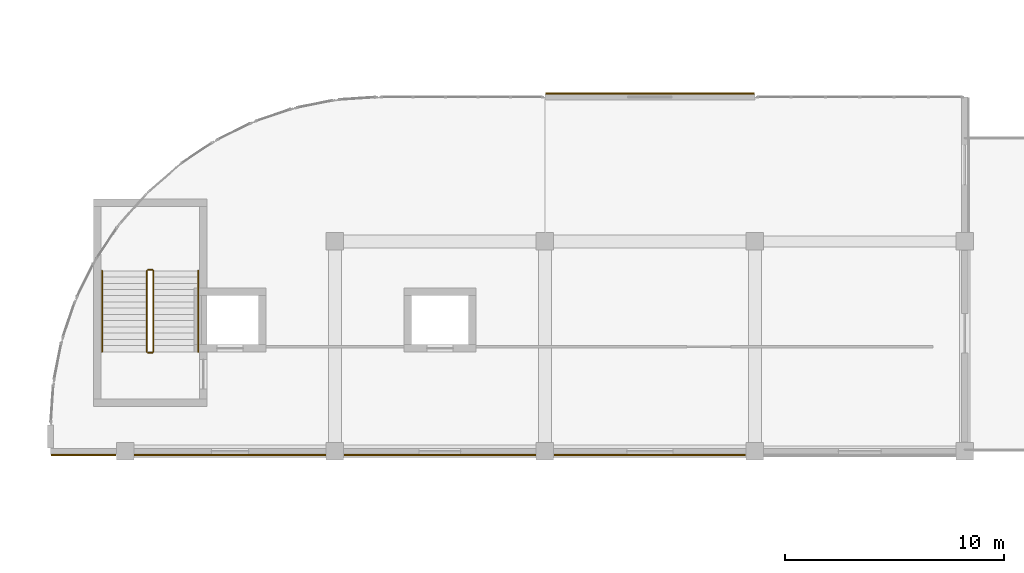
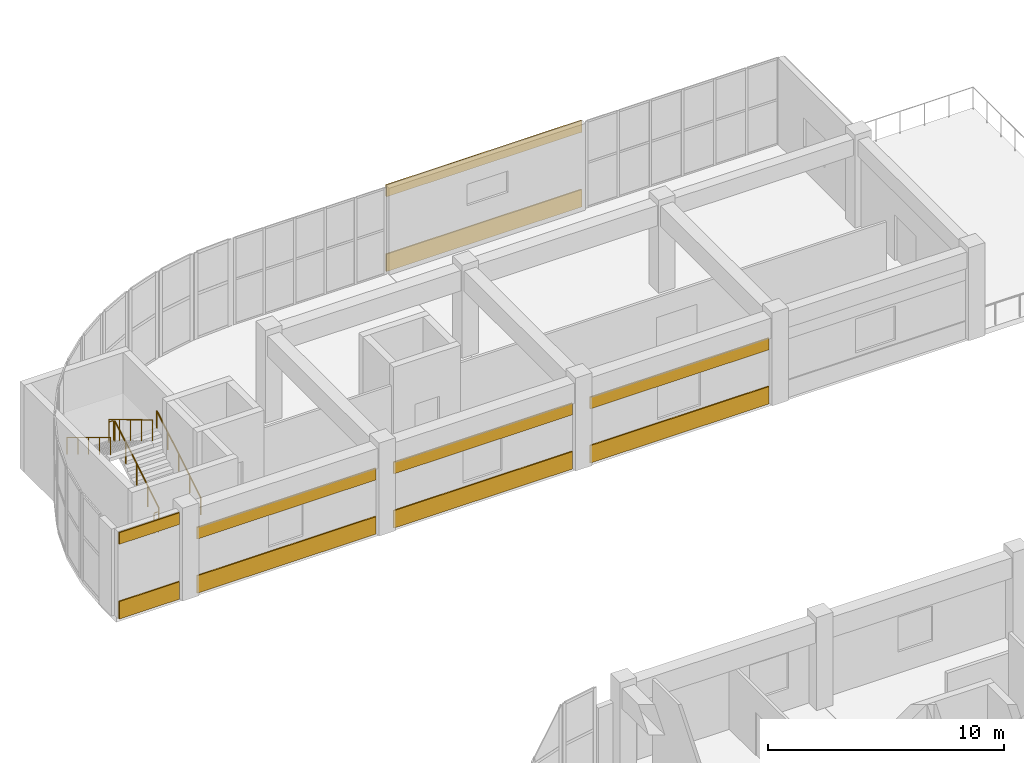
# One storey, part 31 of 33: 10 coverings, 6 railings.
"""IFC4 building model written with IfcOpenShell, lengths in metres."""

from ifc_helpers import new_model, si_unit, direction, frame, origin, origin_2d, place, context, subcontext, project, spatial, rectangle, circle, extrude, material, layer, layer_set, type_object, element, save


model = new_model("IFC4")

# Units and contexts
model_context = context("Model", 3, precision=1e-05, world=origin(), true_north=direction((0.0, 1.0)))
body_context = subcontext(model_context, "Body", "Model", "MODEL_VIEW")
ifc_project = project(units=[si_unit("LENGTHUNIT", "METRE"), si_unit("AREAUNIT", "SQUARE_METRE"), si_unit("VOLUMEUNIT", "CUBIC_METRE"), si_unit("PLANEANGLEUNIT", "RADIAN"), si_unit("MASSUNIT", "GRAM", prefix="KILO")], contexts=[model_context])

# Site, building, storey
site_placement = place(None, origin())
site = spatial("IfcSite", under=ifc_project, at=site_placement, CompositionType="ELEMENT")
building_placement = place(site_placement, origin())
building = spatial("IfcBuilding", under=site, at=building_placement, Name="Cendralis Terraced Arcade", CompositionType="ELEMENT")
storey_placement = place(building_placement, frame((0.0, 0.0, 19.800048828125)))
storey = spatial("IfcBuildingStorey", under=building, at=storey_placement, Name="L04", CompositionType="ELEMENT", Elevation=19.800048828125)

# Coverings
ifc_material_1 = material(Name="Precast concrete f'c 40 MPa", Category="concrete")
ifc_layer = layer(ifc_material_1, 0.06494140625, Name="COV-CLAD-GRC-65")
ifc_layer_set = layer_set([ifc_layer], Name="Precast concrete f'c 40 MPa")
covering_type = type_object("IfcCoveringType", Name="COV-CLAD-GRC-65", PredefinedType="CLADDING", material=ifc_layer_set)
covering_1_placement = place(storey_placement, frame((33.60009765625, 85.969970703125, 0.0), z_axis=(0.0, 0.0, 1.0), x_axis=(1.0, 0.0, 0.0)))
element("IfcCovering", 1, at=covering_1_placement, inside=storey, type_object=covering_type, Name="Banded Precast Stone Spandrel Cladding L04-477", PredefinedType="CLADDING", context=body_context, shape_type="SweptSolid", body=[
    extrude(rectangle(XDim=9.5400390625, YDim=0.06494140625, at=origin_2d()), origin(), (0.0, 0.0, 1.0), 0.89990234375),
])
covering_2_placement = place(storey_placement, frame((33.60009765625, 85.969970703125, 3.85986328125), z_axis=(0.0, 0.0, 1.0), x_axis=(1.0, 0.0, 0.0)))
element("IfcCovering", 2, at=covering_2_placement, inside=storey, type_object=covering_type, Name="Banded Precast Stone Lintel Cladding L04-478", PredefinedType="CLADDING", context=body_context, shape_type="SweptSolid", body=[
    extrude(rectangle(XDim=9.5400390625, YDim=0.06494140625, at=origin_2d()), origin(), (0.0, 0.0, 1.0), 0.60009765625),
])
covering_3_placement = place(storey_placement, frame((33.60009765625, 69.429931640625, 0.0), z_axis=(0.0, 0.0, 1.0), x_axis=(-1.0, 0.0, 0.0)))
element("IfcCovering", 3, at=covering_3_placement, inside=storey, type_object=covering_type, Name="Banded Precast Stone Spandrel Cladding L04-483", PredefinedType="CLADDING", context=body_context, shape_type="SweptSolid", body=[
    extrude(rectangle(XDim=8.743896484375, YDim=0.06494140625, at=origin_2d()), origin(), (0.0, 0.0, 1.0), 0.89990234375),
])
covering_4_placement = place(storey_placement, frame((33.60009765625, 69.429931640625, 2.7998046875), z_axis=(0.0, 0.0, 1.0), x_axis=(-1.0, 0.0, 0.0)))
element("IfcCovering", 4, at=covering_4_placement, inside=storey, type_object=covering_type, Name="Banded Precast Stone Lintel Cladding L04-484", PredefinedType="CLADDING", context=body_context, shape_type="SweptSolid", body=[
    extrude(rectangle(XDim=8.743896484375, YDim=0.06494140625, at=origin_2d()), origin(), (0.0, 0.0, 1.0), 0.60009765625),
])
covering_5_placement = place(storey_placement, frame((24.0, 69.429931640625, 0.0), z_axis=(0.0, 0.0, 1.0), x_axis=(-1.0, 0.0, 0.0)))
element("IfcCovering", 5, at=covering_5_placement, inside=storey, type_object=covering_type, Name="Banded Precast Stone Spandrel Cladding L04-485", PredefinedType="CLADDING", context=body_context, shape_type="SweptSolid", body=[
    extrude(rectangle(XDim=8.743896484375, YDim=0.06494140625, at=origin_2d()), origin(), (0.0, 0.0, 1.0), 0.89990234375),
])
covering_6_placement = place(storey_placement, frame((24.0, 69.429931640625, 2.7998046875), z_axis=(0.0, 0.0, 1.0), x_axis=(-1.0, 0.0, 0.0)))
element("IfcCovering", 6, at=covering_6_placement, inside=storey, type_object=covering_type, Name="Banded Precast Stone Lintel Cladding L04-486", PredefinedType="CLADDING", context=body_context, shape_type="SweptSolid", body=[
    extrude(rectangle(XDim=8.743896484375, YDim=0.06494140625, at=origin_2d()), origin(), (0.0, 0.0, 1.0), 0.60009765625),
])
covering_7_placement = place(storey_placement, frame((14.39990234375, 69.429931640625, 0.0), z_axis=(0.0, 0.0, 1.0), x_axis=(-1.0, 0.0, 0.0)))
element("IfcCovering", 7, at=covering_7_placement, inside=storey, type_object=covering_type, Name="Banded Precast Stone Spandrel Cladding L04-487", PredefinedType="CLADDING", context=body_context, shape_type="SweptSolid", body=[
    extrude(rectangle(XDim=8.743896484375, YDim=0.06494140625, at=origin_2d()), origin(), (0.0, 0.0, 1.0), 0.89990234375),
])
covering_8_placement = place(storey_placement, frame((14.39990234375, 69.429931640625, 2.7998046875), z_axis=(0.0, 0.0, 1.0), x_axis=(-1.0, 0.0, 0.0)))
element("IfcCovering", 8, at=covering_8_placement, inside=storey, type_object=covering_type, Name="Banded Precast Stone Lintel Cladding L04-488", PredefinedType="CLADDING", context=body_context, shape_type="SweptSolid", body=[
    extrude(rectangle(XDim=8.743896484375, YDim=0.06494140625, at=origin_2d()), origin(), (0.0, 0.0, 1.0), 0.60009765625),
])
covering_9_placement = place(storey_placement, frame((7.700927734375, 69.429931640625, 0.0), z_axis=(0.0, 0.0, 1.0), x_axis=(-1.0, 0.0, 0.0)))
element("IfcCovering", 9, at=covering_9_placement, inside=storey, type_object=covering_type, Name="Banded Precast Stone Spandrel Cladding L04-489", PredefinedType="CLADDING", context=body_context, shape_type="SweptSolid", body=[
    extrude(rectangle(XDim=2.94189453125, YDim=0.06494140625, at=origin_2d()), origin(), (0.0, 0.0, 1.0), 0.89990234375),
])
covering_10_placement = place(storey_placement, frame((7.700927734375, 69.429931640625, 3.85986328125), z_axis=(0.0, 0.0, 1.0), x_axis=(-1.0, 0.0, 0.0)))
element("IfcCovering", 10, at=covering_10_placement, inside=storey, type_object=covering_type, Name="Banded Precast Stone Lintel Cladding L04-490", PredefinedType="CLADDING", context=body_context, shape_type="SweptSolid", body=[
    extrude(rectangle(XDim=2.94189453125, YDim=0.06494140625, at=origin_2d()), origin(), (0.0, 0.0, 1.0), 0.60009765625),
])

# Railings
ifc_material_2 = material(Name="Brushed stainless steel AISI 316", Category="steel")
railing_type_1 = type_object("IfcRailingType", Name="RL-STAIR-GUARD-1100", PredefinedType="GUARDRAIL", material=ifc_material_2)
railing_1_placement = place(storey_placement, frame((10.89990234375, 74.14990234375, 0.17138671875)))
element("IfcRailing", 11, at=railing_1_placement, inside=storey, type_object=railing_type_1, Name="L04 ST-07 stair guard 1", PredefinedType="GUARDRAIL", context=body_context, shape_type="SweptSolid", body=[
    extrude(circle(Radius=0.02392578125, at=origin_2d()), frame((0.0, 0.0, 1.076171875), z_axis=(0.0, 0.856934400257, 0.515425487977), x_axis=(-1.0, 0.0, 0.0)), (0.0, 0.0, 1.0), 4.32373046875),
    extrude(circle(Radius=0.02099609375, at=origin_2d()), origin(), (0.0, 0.0, 1.0), 1.052001953125),
    extrude(circle(Radius=0.02099609375, at=origin_2d()), frame((0.0, 0.92626953125, 0.55712890625)), (0.0, 0.0, 1.0), 1.052001953125),
    extrude(circle(Radius=0.02099609375, at=origin_2d()), frame((0.0, 1.8525390625, 1.1142578125)), (0.0, 0.0, 1.0), 1.052001953125),
    extrude(circle(Radius=0.02099609375, at=origin_2d()), frame((0.0, 2.77880859375, 1.67138671875)), (0.0, 0.0, 1.0), 1.052001953125),
    extrude(circle(Radius=0.02099609375, at=origin_2d()), frame((0.0, 3.705078125, 2.228515625)), (0.0, 0.0, 1.0), 1.052001953125),
])
railing_2_placement = place(storey_placement, frame((10.85009765625, 77.905029296875, 2.39990234375)))
element("IfcRailing", 12, at=railing_2_placement, inside=storey, type_object=railing_type_1, Name="L04 ST-07 stair guard 2", PredefinedType="GUARDRAIL", context=body_context, shape_type="SweptSolid", body=[
    extrude(circle(Radius=0.02392578125, at=origin_2d()), frame((0.0, 0.0, 1.076171875), z_axis=(-1.0, 0.0, 0.0), x_axis=(0.0, -1.0, 0.0)), (0.0, 0.0, 1.0), 0.2001953125),
    extrude(circle(Radius=0.02099609375, at=origin_2d()), origin(), (0.0, 0.0, 1.0), 1.052001953125),
    extrude(circle(Radius=0.02099609375, at=origin_2d()), frame((-0.2001953125, 0.0, 0.0)), (0.0, 0.0, 1.0), 1.052001953125),
])
railing_3_placement = place(storey_placement, frame((10.60009765625, 77.85498046875, 2.5712890625)))
element("IfcRailing", 13, at=railing_3_placement, inside=storey, type_object=railing_type_1, Name="L04 ST-07 stair guard 3", PredefinedType="GUARDRAIL", context=body_context, shape_type="SweptSolid", body=[
    extrude(circle(Radius=0.02392578125, at=origin_2d()), frame((0.0, 0.0, 1.076171875), z_axis=(0.0, -0.856909459561, 0.515466951525), x_axis=(1.0, 0.0, 0.0)), (0.0, 0.0, 1.0), 4.32373046875),
    extrude(circle(Radius=0.02099609375, at=origin_2d()), origin(), (0.0, 0.0, 1.0), 1.052001953125),
    extrude(circle(Radius=0.02099609375, at=origin_2d()), frame((0.0, -0.92626953125, 0.55712890625)), (0.0, 0.0, 1.0), 1.052001953125),
    extrude(circle(Radius=0.02099609375, at=origin_2d()), frame((0.0, -1.8525390625, 1.1142578125)), (0.0, 0.0, 1.0), 1.052001953125),
    extrude(circle(Radius=0.02099609375, at=origin_2d()), frame((0.0, -2.77880859375, 1.671630859375)), (0.0, 0.0, 1.0), 1.052001953125),
    extrude(circle(Radius=0.02099609375, at=origin_2d()), frame((0.0, -3.705078125, 2.228759765625)), (0.0, 0.0, 1.0), 1.052001953125),
])
railing_4_placement = place(storey_placement, frame((10.85009765625, 74.10009765625, 0.0)))
element("IfcRailing", 14, at=railing_4_placement, inside=storey, type_object=railing_type_1, Name="L04 ST-07 stair guard 4", PredefinedType="GUARDRAIL", context=body_context, shape_type="SweptSolid", body=[
    extrude(circle(Radius=0.02392578125, at=origin_2d()), frame((0.0, 0.0, 1.076171875), z_axis=(-1.0, 0.0, 0.0), x_axis=(0.0, -1.0, 0.0)), (0.0, 0.0, 1.0), 0.2001953125),
    extrude(circle(Radius=0.02099609375, at=origin_2d()), origin(), (0.0, 0.0, 1.0), 1.052001953125),
    extrude(circle(Radius=0.02099609375, at=origin_2d()), frame((-0.2001953125, 0.0, 0.0)), (0.0, 0.0, 1.0), 1.052001953125),
])
railing_type_2 = type_object("IfcRailingType", Name="RL-STAIR-HAND-900", PredefinedType="HANDRAIL", material=ifc_material_2)
railing_5_placement = place(storey_placement, frame((12.949951171875, 74.14990234375, 0.17138671875)))
element("IfcRailing", 15, at=railing_5_placement, inside=storey, type_object=railing_type_2, Name="L04 ST-07 stair handrail 1", PredefinedType="HANDRAIL", context=body_context, shape_type="SweptSolid", body=[
    extrude(circle(Radius=0.02392578125, at=origin_2d()), frame((0.0, 0.0, 0.8759765625), z_axis=(0.0, 0.856934400257, 0.515425487977), x_axis=(-1.0, 0.0, 0.0)), (0.0, 0.0, 1.0), 4.32373046875),
    extrude(circle(Radius=0.02099609375, at=origin_2d()), origin(), (0.0, 0.0, 1.0), 0.851806640625),
    extrude(circle(Radius=0.02099609375, at=origin_2d()), frame((0.0, 0.92626953125, 0.55712890625)), (0.0, 0.0, 1.0), 0.851806640625),
    extrude(circle(Radius=0.02099609375, at=origin_2d()), frame((0.0, 1.8525390625, 1.1142578125)), (0.0, 0.0, 1.0), 0.851806640625),
    extrude(circle(Radius=0.02099609375, at=origin_2d()), frame((0.0, 2.77880859375, 1.67138671875)), (0.0, 0.0, 1.0), 0.851806640625),
    extrude(circle(Radius=0.02099609375, at=origin_2d()), frame((0.0, 3.705078125, 2.228515625)), (0.0, 0.0, 1.0), 0.851806640625),
])
railing_6_placement = place(storey_placement, frame((8.550048828125, 77.85498046875, 2.5712890625)))
element("IfcRailing", 16, at=railing_6_placement, inside=storey, type_object=railing_type_2, Name="L04 ST-07 stair handrail 2", PredefinedType="HANDRAIL", context=body_context, shape_type="SweptSolid", body=[
    extrude(circle(Radius=0.02392578125, at=origin_2d()), frame((0.0, 0.0, 0.8759765625), z_axis=(0.0, -0.856909459561, 0.515466951525), x_axis=(1.0, 0.0, 0.0)), (0.0, 0.0, 1.0), 4.32373046875),
    extrude(circle(Radius=0.02099609375, at=origin_2d()), origin(), (0.0, 0.0, 1.0), 0.851806640625),
    extrude(circle(Radius=0.02099609375, at=origin_2d()), frame((0.0, -0.92626953125, 0.55712890625)), (0.0, 0.0, 1.0), 0.851806640625),
    extrude(circle(Radius=0.02099609375, at=origin_2d()), frame((0.0, -1.8525390625, 1.1142578125)), (0.0, 0.0, 1.0), 0.851806640625),
    extrude(circle(Radius=0.02099609375, at=origin_2d()), frame((0.0, -2.77880859375, 1.671630859375)), (0.0, 0.0, 1.0), 0.851806640625),
    extrude(circle(Radius=0.02099609375, at=origin_2d()), frame((0.0, -3.705078125, 2.228759765625)), (0.0, 0.0, 1.0), 0.851806640625),
])

save(model, "model.ifc")
